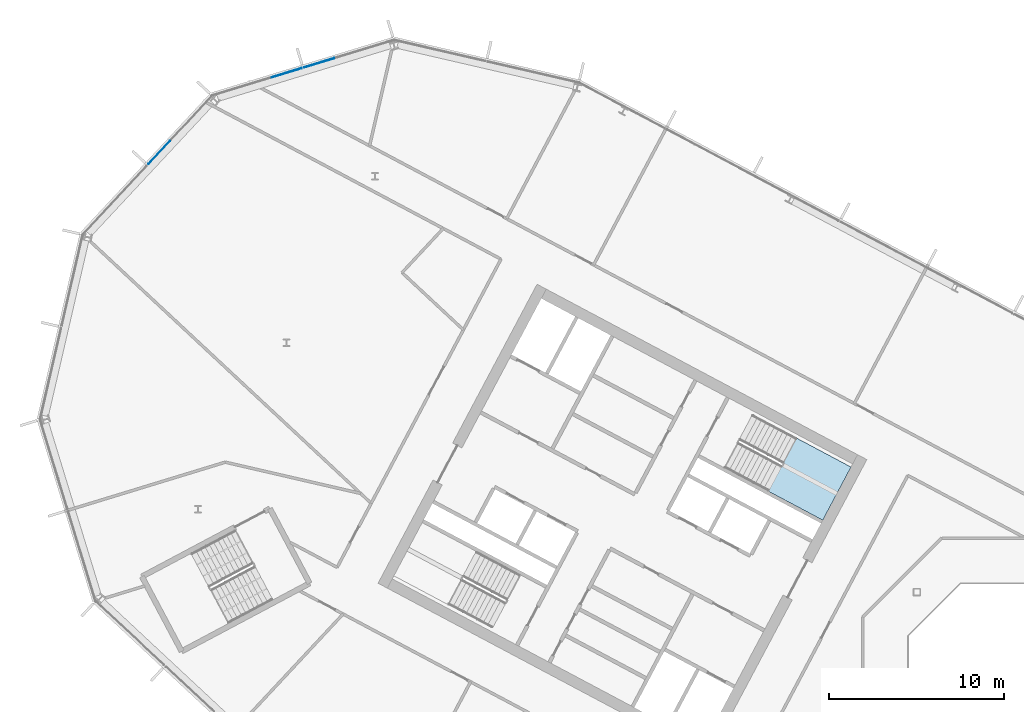
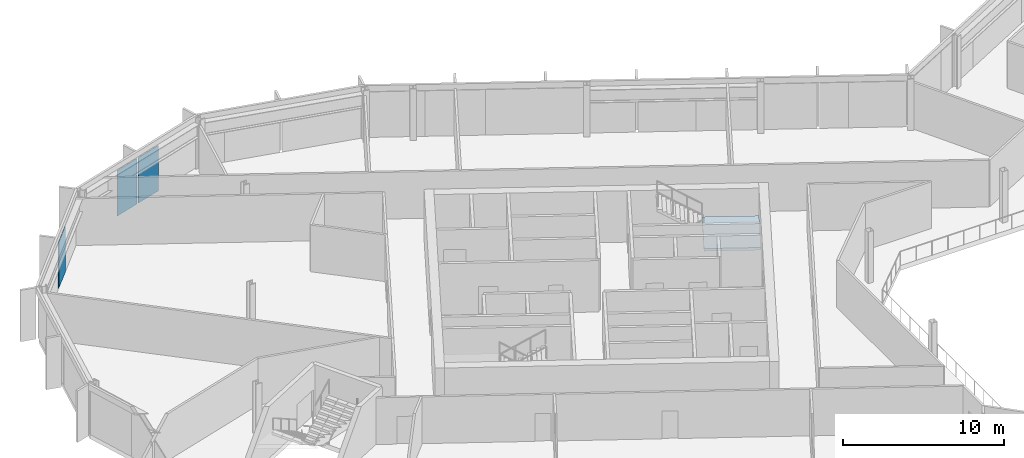
# One storey, part 11 of 27: 3 plates, 1 slab, 3 elements without a shape of their own.
"""IFC4 building model written with IfcOpenShell, lengths in metres."""

import ifcopenshell
import ifcopenshell.guid

model = None  # the IFC model being written
_history = None  # IfcOwnerHistory: only IFC2X3 demands one
_inside = {}  # id of a spatial element -> (the spatial element, [elements in it])
_under = {}  # id of a project, library or spatial element -> (it, [spatial elements below it])
_declared = {}  # id of a project -> (the project, [libraries it declares])
_typed = {}  # id of a type object -> (the type object, [elements of that type])
_made_of = {}  # id of a material, layer set ... -> (it, [elements and type objects made of it])


def new_model(schema):
    """Start an empty IFC model of exactly this schema.

    Asked for "IFC4X3", IfcOpenShell would pick the latest addendum, in which some entities
    have other attributes; the version numbers below select the first issue.
    IFC2X3 requires an IfcOwnerHistory on every rooted entity: one is made here for all.
    """
    global model, _history
    if schema == "IFC4X3":
        model = ifcopenshell.file(schema_version=(4, 3, 0, 0))
    else:
        model = ifcopenshell.file(schema=schema)
    _inside.clear()
    _under.clear()
    _declared.clear()
    _typed.clear()
    _made_of.clear()
    _history = None
    if model.schema == "IFC2X3":
        org = make("IfcOrganization", Name="unknown")
        user = make(
            "IfcPersonAndOrganization",
            ThePerson=make("IfcPerson", FamilyName="unknown"),
            TheOrganization=org,
        )
        app = make(
            "IfcApplication",
            ApplicationDeveloper=org,
            Version="unknown",
            ApplicationFullName="unknown",
            ApplicationIdentifier="unknown",
        )
        _history = make(
            "IfcOwnerHistory",
            OwningUser=user,
            OwningApplication=app,
            ChangeAction="ADDED",
            CreationDate=0,
        )
    return model


def make(cls, **values):
    """One entity of the class cls with the attributes given. An attribute that is None is left unset."""
    return model.create_entity(
        cls, **{name: value for name, value in values.items() if value is not None}
    )


def rooted(cls, **values):
    """An entity with a GlobalId (a new one), such as an element, a storey or a relation."""
    return make(cls, GlobalId=ifcopenshell.guid.new(), OwnerHistory=_history, **values)


def si_unit(unit_type, name, prefix=None):
    """IfcSIUnit, for example si_unit("LENGTHUNIT", "METRE", prefix="MILLI")."""
    return make("IfcSIUnit", UnitType=unit_type, Prefix=prefix, Name=name)


def assignment(units):
    """IfcUnitAssignment: the units of a project."""
    return None if units is None else make("IfcUnitAssignment", Units=units)


def point(xyz):
    """IfcCartesianPoint."""
    return None if xyz is None else make("IfcCartesianPoint", Coordinates=xyz)


def direction(xyz):
    """IfcDirection."""
    return None if xyz is None else make("IfcDirection", DirectionRatios=xyz)


def frame(location, z_axis=None, x_axis=None):
    """IfcAxis2Placement3D, a coordinate frame: its origin and axes. An axis left out is left unset."""
    return make(
        "IfcAxis2Placement3D",
        Location=point(location),
        Axis=direction(z_axis),
        RefDirection=direction(x_axis),
    )


def frame_2d(location, x_axis=None):
    """IfcAxis2Placement2D, a coordinate frame in the plane: its origin and x axis."""
    return make(
        "IfcAxis2Placement2D", Location=point(location), RefDirection=direction(x_axis)
    )


def origin():
    """The frame at (0, 0, 0) with its axes left unset."""
    return frame((0.0, 0.0, 0.0))


def origin_2d():
    """The frame at (0, 0) in the plane with its x axis left unset."""
    return frame_2d((0.0, 0.0))


def place(relative_to, where):
    """IfcLocalPlacement: puts the frame where relative to a parent placement (None: the world)."""
    return make(
        "IfcLocalPlacement", PlacementRelTo=relative_to, RelativePlacement=where
    )


def context(
    kind, dimensions, precision=None, world=None, true_north=None, identifier=None
):
    """IfcGeometricRepresentationContext, for example the 3D "Model" context."""
    return make(
        "IfcGeometricRepresentationContext",
        ContextIdentifier=identifier,
        ContextType=kind,
        CoordinateSpaceDimension=dimensions,
        Precision=precision,
        WorldCoordinateSystem=world,
        TrueNorth=true_north,
    )


def subcontext(parent, identifier, kind, view, scale=None):
    """IfcGeometricRepresentationSubContext, for example "Body" below "Model"."""
    return make(
        "IfcGeometricRepresentationSubContext",
        ContextIdentifier=identifier,
        ContextType=kind,
        ParentContext=parent,
        TargetScale=scale,
        TargetView=view,
    )


def project(units=None, contexts=None):
    """IfcProject with its units and contexts."""
    return rooted(
        "IfcProject",
        Name="project",
        RepresentationContexts=contexts,
        UnitsInContext=assignment(units),
    )


def spatial(cls, under=None, at=None, **own):
    """A site, building, storey or space (cls), placed at a placement, below another one or the project."""
    s = rooted(cls, ObjectPlacement=at, **own)
    if under is not None:
        _under.setdefault(under.id(), (under, []))[1].append(s)
    return s


def polyline(points):
    """IfcPolyline through the points."""
    return make("IfcPolyline", Points=[point(p) for p in points])


def profile(cls, at=None, kind="AREA", **sizes):
    """A parametric profile (cls). Its sizes go by their IFC names, for example OverallWidth=200.0."""
    return make(cls, ProfileType=kind, Position=at, **sizes)


def rectangle(**sizes):
    """IfcRectangleProfileDef."""
    return profile("IfcRectangleProfileDef", **sizes)


def outline(outer, holes=None, kind="AREA"):
    """IfcArbitraryClosedProfileDef: a profile drawn as a closed curve; with holes, ...WithVoids."""
    if holes is None:
        return make("IfcArbitraryClosedProfileDef", ProfileType=kind, OuterCurve=outer)
    return make(
        "IfcArbitraryProfileDefWithVoids",
        ProfileType=kind,
        OuterCurve=outer,
        InnerCurves=holes,
    )


def extrude(swept, where, along, depth):
    """IfcExtrudedAreaSolid: the profile swept, set in the frame where, extruded along a direction by depth."""
    return make(
        "IfcExtrudedAreaSolid",
        SweptArea=swept,
        Position=where,
        ExtrudedDirection=direction(along),
        Depth=depth,
    )


def shape(context_of_items, identifier, shape_type, items):
    """IfcShapeRepresentation: the items that make up one representation, for example the "Body"."""
    return make(
        "IfcShapeRepresentation",
        ContextOfItems=context_of_items,
        RepresentationIdentifier=identifier,
        RepresentationType=shape_type,
        Items=items,
    )


def material(Name=None, Category=None):
    """IfcMaterial."""
    return make("IfcMaterial", Name=Name, Category=Category)


def layer(
    of_material, thickness, ventilated=None, Name=None, Category=None, Priority=None
):
    """IfcMaterialLayer: one layer of a wall or slab, of a material (None: an air gap)."""
    return make(
        "IfcMaterialLayer",
        Material=of_material,
        LayerThickness=thickness,
        IsVentilated=ventilated,
        Name=Name,
        Category=Category,
        Priority=Priority,
    )


def layer_set(layers, Name=None):
    """IfcMaterialLayerSet."""
    return make("IfcMaterialLayerSet", MaterialLayers=layers, LayerSetName=Name)


def made_of(thing, what):
    """Note that an element or type object is made of a material, layer set ...; save() writes the relation."""
    if what is not None:
        _made_of.setdefault(what.id(), (what, []))[1].append(thing)
    return thing


def type_object(cls, material=None, **own):
    """A type object (cls), such as IfcWallType, which elements share."""
    return made_of(rooted(cls, **own), material)


def element(
    cls,
    number,
    at=None,
    inside=None,
    cuts=None,
    type_object=None,
    material=None,
    context=None,
    identifier="Body",
    shape_type=None,
    held_by="IfcProductDefinitionShape",
    body=None,
    shapes=None,
    **own,
):
    """One element of the class cls, such as IfcWall. Its Tag is "e" and its number.

    at: its placement. inside: the storey or other place that contains it. cuts: it is an
    opening in that element (IfcRelVoidsElement). A single representation is given by context,
    identifier, shape_type and body (its items); several are given by shapes. held_by: the class
    of the entity that holds the representations. save() writes the other relations.
    """
    e = rooted(cls, Tag="e%d" % number, ObjectPlacement=at, **own)
    if body is not None:
        shapes = [shape(context, identifier, shape_type, body)]
    if shapes is not None:
        e.Representation = make(held_by, Representations=shapes)
    if inside is not None:
        _inside.setdefault(inside.id(), (inside, []))[1].append(e)
    if cuts is not None:
        rooted(
            "IfcRelVoidsElement", RelatingBuildingElement=cuts, RelatedOpeningElement=e
        )
    if type_object is not None:
        _typed.setdefault(type_object.id(), (type_object, []))[1].append(e)
    return made_of(e, material)


def aggregate(whole, parts):
    """IfcRelAggregates: a whole, such as a stair, and the parts it consists of."""
    return rooted("IfcRelAggregates", RelatingObject=whole, RelatedObjects=parts)


def save(model, path):
    """Write the relations noted so far, then the file.

    IfcRelAggregates (storeys below a building ...), IfcRelContainedInSpatialStructure (elements
    in a storey), IfcRelDefinesByType, IfcRelAssociatesMaterial and IfcRelDeclares: one each for
    every whole, place, type object, material and project.
    """
    for whole, parts in _under.values():
        aggregate(whole, parts)
    for where, things in _inside.values():
        rooted(
            "IfcRelContainedInSpatialStructure",
            RelatedElements=things,
            RelatingStructure=where,
        )
    for kind, things in _typed.values():
        rooted("IfcRelDefinesByType", RelatedObjects=things, RelatingType=kind)
    for what, things in _made_of.values():
        rooted("IfcRelAssociatesMaterial", RelatedObjects=things, RelatingMaterial=what)
    for by, libraries in _declared.values():
        rooted("IfcRelDeclares", RelatingContext=by, RelatedDefinitions=libraries)
    model.write(path)


model = new_model("IFC4")

# Units and contexts
model_context = context("Model", 3, precision=1e-05, world=origin(), true_north=direction((0.0, 1.0)))
body_context = subcontext(model_context, "Body", "Model", "MODEL_VIEW")
ifc_project = project(units=[si_unit("LENGTHUNIT", "METRE"), si_unit("AREAUNIT", "SQUARE_METRE"), si_unit("VOLUMEUNIT", "CUBIC_METRE"), si_unit("PLANEANGLEUNIT", "RADIAN"), si_unit("MASSUNIT", "GRAM", prefix="KILO")], contexts=[model_context])

# Site, building, storey
site_placement = place(None, origin())
site = spatial("IfcSite", under=ifc_project, at=site_placement, CompositionType="ELEMENT")
building_placement = place(site_placement, origin())
building = spatial("IfcBuilding", under=site, at=building_placement, Name="Cormorant Relay Tower", CompositionType="ELEMENT")
storey_placement = place(building_placement, frame((0.0, 0.0, 224.699951171875)))
storey = spatial("IfcBuildingStorey", under=building, at=storey_placement, Name="L49", CompositionType="ELEMENT", Elevation=224.699951171875)

# Curtain wall, plates
ifc_material_1 = material(Name="Aluminium 6063-T6 anodised bronze", Category="aluminium")
ifc_layer_1 = layer(ifc_material_1, 0.199951171875)
ifc_layer_set_1 = layer_set([ifc_layer_1], Name="CW1 unitised bronze curtain wall with vertical fins")
curtain_wall_type = type_object("IfcCurtainWallType", Name="CW1 unitised bronze curtain wall with vertical fins", PredefinedType="NOTDEFINED", material=ifc_layer_set_1)
curtain_wall_1_placement = place(storey_placement, origin())
curtain_wall_1 = element("IfcCurtainWall", 1, at=curtain_wall_1_placement, inside=storey, type_object=curtain_wall_type, Name="CW1 curtain wall 11", PredefinedType="NOTDEFINED")
ifc_material_2 = material(Name="Tinted laminated glass", Category="glass")
ifc_layer_2 = layer(ifc_material_2, 0.0400390625)
ifc_layer_set_2 = layer_set([ifc_layer_2], Name="CW1 tinted vision panel 1800 module")
plate_type = type_object("IfcPlateType", Name="CW1 tinted vision panel 1800 module", PredefinedType="CURTAIN_PANEL", material=ifc_layer_set_2)
plate_1_placement = place(storey_placement, frame((-44.73681640625, 40.82861328125, 0.0), z_axis=(0.0, 0.0, 1.0), x_axis=(-0.956304755963, -0.292371704723, 0.0)))
plate_1 = element("IfcPlate", 2, at=plate_1_placement, type_object=plate_type, Name="CW1 panel V01", PredefinedType="CURTAIN_PANEL", context=body_context, shape_type="SweptSolid", body=[
    extrude(rectangle(XDim=1.800048828125, YDim=0.0400390625, at=origin_2d()), origin(), (0.0, 0.0, 1.0), 3.449951171875),
])
plate_2_placement = place(storey_placement, frame((-46.6015625, 40.25830078125, 0.0), z_axis=(0.0, 0.0, 1.0), x_axis=(-0.956304755963, -0.292371704723, 0.0)))
plate_2 = element("IfcPlate", 3, at=plate_2_placement, type_object=plate_type, Name="CW1 panel V02", PredefinedType="CURTAIN_PANEL", context=body_context, shape_type="SweptSolid", body=[
    extrude(rectangle(XDim=1.800048828125, YDim=0.0400390625, at=origin_2d()), origin(), (0.0, 0.0, 1.0), 3.449951171875),
])
aggregate(curtain_wall_1, [plate_1, plate_2])

# Curtain wall, plate
curtain_wall_2_placement = place(storey_placement, origin())
curtain_wall_2 = element("IfcCurtainWall", 4, at=curtain_wall_2_placement, inside=storey, type_object=curtain_wall_type, Name="CW1 curtain wall 12", PredefinedType="NOTDEFINED")
plate_3_placement = place(storey_placement, frame((-53.91748046875, 35.68701171875, 0.0), z_axis=(0.0, 0.0, 1.0), x_axis=(-0.681998360062, -0.731353701619, 0.0)))
plate_3 = element("IfcPlate", 5, at=plate_3_placement, type_object=plate_type, Name="CW1 panel V01", PredefinedType="CURTAIN_PANEL", context=body_context, shape_type="SweptSolid", body=[
    extrude(rectangle(XDim=1.800048828125, YDim=0.0400390625, at=origin_2d()), origin(), (0.0, 0.0, 1.0), 3.449951171875),
])
aggregate(curtain_wall_2, [plate_3])

# Stair, slab
ifc_material_3 = material(Name="Concrete 40 MPa", Category="concrete")
stair_type = type_object("IfcStairType", Name="Exit stair 1500", PredefinedType="HALF_TURN_STAIR", material=ifc_material_3)
stair_placement = place(storey_placement, origin())
stair = element("IfcStair", 6, at=stair_placement, inside=storey, type_object=stair_type, Name="L49 Stair", PredefinedType="HALF_TURN_STAIR")
ifc_material_4 = material(Name="Concrete 40 MPa", Category="concrete")
ifc_layer_3 = layer(ifc_material_4, 0.199951171875)
ifc_layer_set_3 = layer_set([ifc_layer_3], Name="Exit stair landing 200")
slab_type = type_object("IfcSlabType", Name="Exit stair landing 200", PredefinedType="LANDING", material=ifc_layer_set_3)
slab_placement = place(storey_placement, frame((0.0, 0.0, 1.75)))
slab = element("IfcSlab", 7, at=slab_placement, type_object=slab_type, Name="A1 landing 1", PredefinedType="LANDING", context=body_context, shape_type="SweptSolid", body=[
    extrude(outline(polyline([(-19.029541015625, 16.29052734375), (-15.89501953125, 14.6240234375), (-14.275390625, 17.670166015625), (-17.40966796875, 19.3369140625), (-19.029541015625, 16.29052734375)])), origin(), (0.0, 0.0, 1.0), 0.199951171875),
])
aggregate(stair, [slab])

save(model, "model.ifc")
